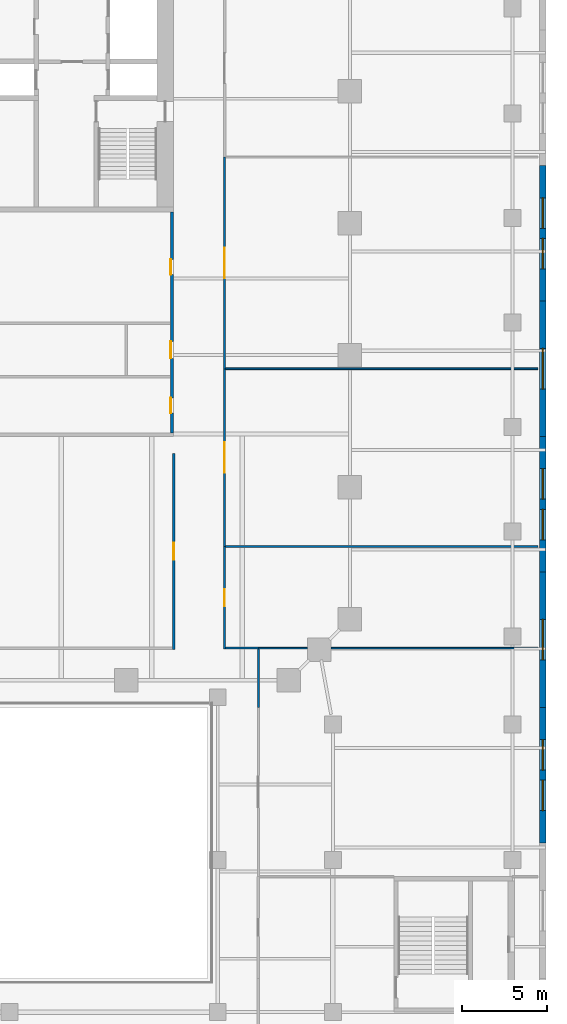
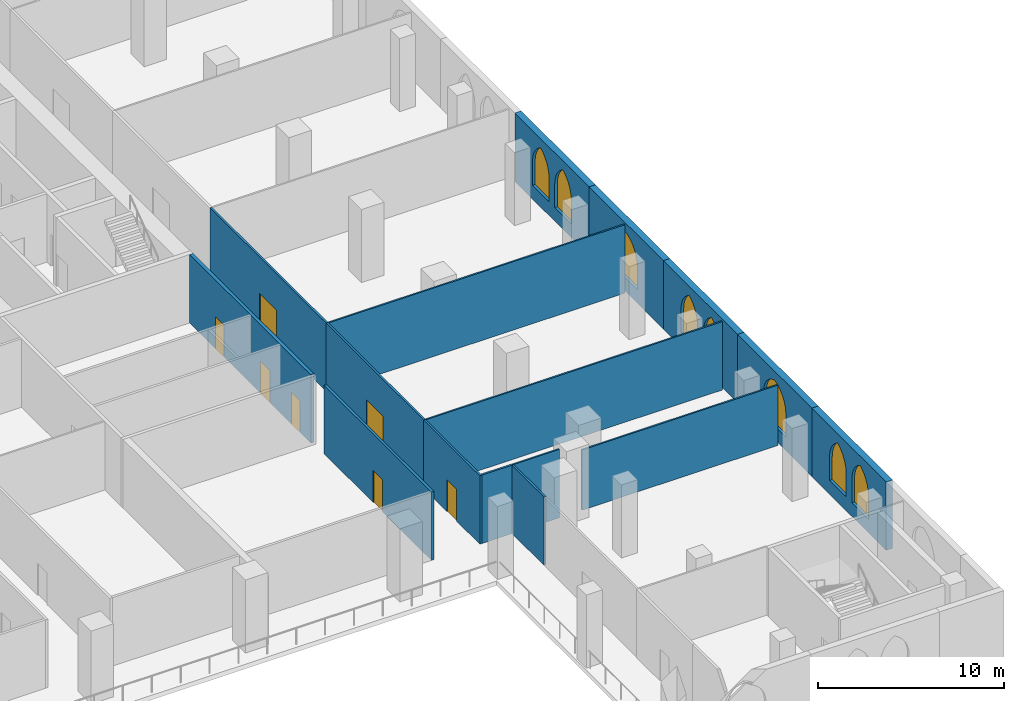
# One storey, part 13 of 19: 16 walls, 8 windows, 7 doors, 15 openings.
"""IFC4 building model written with IfcOpenShell, lengths in metres."""

from ifc_helpers import new_model, si_unit, direction, frame, frame_2d, origin, place, context, subcontext, project, spatial, polyline, rectangle, outline, extrude, material, layer, layer_set, type_object, element, fill, save


model = new_model("IFC4")

# Units and contexts
model_context = context("Model", 3, precision=1e-05, world=origin(), true_north=direction((0.0, 1.0)))
body_context = subcontext(model_context, "Body", "Model", "MODEL_VIEW")
ifc_project = project(units=[si_unit("LENGTHUNIT", "METRE"), si_unit("AREAUNIT", "SQUARE_METRE"), si_unit("VOLUMEUNIT", "CUBIC_METRE"), si_unit("PLANEANGLEUNIT", "RADIAN"), si_unit("MASSUNIT", "GRAM", prefix="KILO")], contexts=[model_context])

# Site, building, storey
site_placement = place(None, origin())
site = spatial("IfcSite", under=ifc_project, at=site_placement, CompositionType="ELEMENT")
building_placement = place(site_placement, origin())
building = spatial("IfcBuilding", under=site, at=building_placement, Name="Ogive Exchange Tower", CompositionType="ELEMENT")
storey_placement = place(building_placement, frame((0.0, 0.0, 24.0)))
storey = spatial("IfcBuildingStorey", under=building, at=storey_placement, Name="L04", CompositionType="ELEMENT", Elevation=24.0)

# Wall, opening, door
ifc_material_1 = material(Name="Fire partition EI 60 150")
ifc_layer_1 = layer(ifc_material_1, 0.14990234375)
ifc_layer_set_1 = layer_set([ifc_layer_1], Name="Fire partition EI 60 150")
wall_type_1 = type_object("IfcWallType", Name="Fire partition EI 60 150", PredefinedType="PARTITIONING", material=ifc_layer_set_1)
wall_1_placement = place(storey_placement, frame((22.0, -28.574951171875, 0.0), z_axis=(0.0, 0.0, 1.0), x_axis=(0.0, 1.0, 0.0)))
wall_1 = element("IfcWall", 1, at=wall_1_placement, inside=storey, type_object=wall_type_1, Name="L04-PWL-058", PredefinedType="PARTITIONING", context=body_context, shape_type="SweptSolid", body=[
    extrude(rectangle(XDim=11.574951171875, YDim=0.14990234375, at=frame_2d((5.78759765625, 0.0))), origin(), (0.0, 0.0, 1.0), 4.5),
])
opening_1_placement = place(wall_1_placement, frame((5.28759765625, 0.0, 0.0)))
opening_1 = element("IfcOpeningElement", 2, at=opening_1_placement, cuts=wall_1, Name="Opening L04-I19", PredefinedType="OPENING", context=body_context, shape_type="SweptSolid", body=[
    extrude(rectangle(XDim=1.0, YDim=2.10009765625, at=frame_2d((0.5, 1.050048828125))), frame((0.0, 0.0849609375, 0.0), z_axis=(0.0, -1.0, 0.0), x_axis=(1.0, 0.0, 0.0)), (0.0, 0.0, 1.0), 0.169921875),
])
ifc_material_2 = material(Name="Fire door FD 30S 1000 x 2100")
door_type_1 = type_object("IfcDoorType", Name="Fire door FD 30S 1000 x 2100", OperationType="NOTDEFINED", PredefinedType="DOOR", material=ifc_material_2)
door_1_placement = place(opening_1_placement, origin())
door_1 = element("IfcDoor", 3, at=door_1_placement, inside=storey, type_object=door_type_1, Name="L04-IDR-019", ObjectType="DT3", OperationType="SINGLE_SWING_RIGHT", OverallHeight=2.10009765625, OverallWidth=1.0, PredefinedType="DOOR", context=body_context, shape_type="SweptSolid", body=[
    extrude(rectangle(XDim=1.0, YDim=2.10009765625, at=frame_2d((0.5, 1.050048828125))), frame((0.0, 0.02490234375, 0.0), z_axis=(0.0, -1.0, 0.0), x_axis=(1.0, 0.0, 0.0)), (0.0, 0.0, 1.0), 0.050048828125),
])
fill(opening_1, door_1)

# Wall
ifc_material_3 = material(Name="Glazed fire partition EI 60 120")
ifc_layer_2 = layer(ifc_material_3, 0.1201171875)
ifc_layer_set_2 = layer_set([ifc_layer_2], Name="Glazed fire partition EI 60 120")
wall_type_2 = type_object("IfcWallType", Name="Glazed fire partition EI 60 120", PredefinedType="PARTITIONING", material=ifc_layer_set_2)
wall_2_placement = place(storey_placement, frame((25.06005859375, -28.5, 0.0), z_axis=(0.0, 0.0, 1.0), x_axis=(1.0, 0.0, 0.0)))
element("IfcWall", 4, at=wall_2_placement, inside=storey, type_object=wall_type_2, Name="L04-PWL-012", PredefinedType="PARTITIONING", context=body_context, shape_type="SweptSolid", body=[
    extrude(rectangle(XDim=1.93994140625, YDim=0.1201171875, at=frame_2d((0.969970703125, 0.0))), origin(), (0.0, 0.0, 1.0), 4.5),
])

# Wall, opening, door
wall_3_placement = place(storey_placement, frame((25.0, -28.56005859375, 0.0), z_axis=(0.0, 0.0, 1.0), x_axis=(0.0, 1.0, 0.0)))
wall_3 = element("IfcWall", 5, at=wall_3_placement, inside=storey, type_object=wall_type_2, Name="L04-PWL-059", PredefinedType="PARTITIONING", context=body_context, shape_type="SweptSolid", body=[
    extrude(rectangle(XDim=6.06005859375, YDim=0.1201171875, at=frame_2d((3.030029296875, 0.0))), origin(), (0.0, 0.0, 1.0), 4.5),
])
opening_2_placement = place(wall_3_placement, frame((2.530029296875, 0.0, 0.0)))
opening_2 = element("IfcOpeningElement", 6, at=opening_2_placement, cuts=wall_3, Name="Opening L04-I08", PredefinedType="OPENING", context=body_context, shape_type="SweptSolid", body=[
    extrude(rectangle(XDim=1.0, YDim=2.10009765625, at=frame_2d((0.5, 1.050048828125))), frame((0.0, 0.070068359375, 0.0), z_axis=(0.0, -1.0, 0.0), x_axis=(1.0, 0.0, 0.0)), (0.0, 0.0, 1.0), 0.14013671875),
])
door_2_placement = place(opening_2_placement, frame((1.0, 0.0, 0.0), z_axis=(0.0, 0.0, 1.0), x_axis=(-1.0, 0.0, 0.0)))
door_2 = element("IfcDoor", 7, at=door_2_placement, inside=storey, type_object=door_type_1, Name="L04-IDR-008", ObjectType="DT3", OperationType="SINGLE_SWING_RIGHT", OverallHeight=2.10009765625, OverallWidth=1.0, PredefinedType="DOOR", context=body_context, shape_type="SweptSolid", body=[
    extrude(rectangle(XDim=1.0, YDim=2.10009765625, at=frame_2d((0.5, 1.050048828125))), frame((0.0, 0.02490234375, 0.0), z_axis=(0.0, -1.0, 0.0), x_axis=(1.0, 0.0, 0.0)), (0.0, 0.0, 1.0), 0.050048828125),
])
fill(opening_2, door_2)

wall_4_placement = place(storey_placement, frame((25.0, -22.5, 0.0), z_axis=(0.0, 0.0, 1.0), x_axis=(0.0, 1.0, 0.0)))
wall_4 = element("IfcWall", 8, at=wall_4_placement, inside=storey, type_object=wall_type_2, Name="L04-PWL-060", PredefinedType="PARTITIONING", context=body_context, shape_type="SweptSolid", body=[
    extrude(rectangle(XDim=10.5, YDim=0.1201171875, at=frame_2d((5.25, 0.0))), origin(), (0.0, 0.0, 1.0), 4.5),
])
opening_3_placement = place(wall_4_placement, frame((4.35009765625, 0.0, 0.0)))
opening_3 = element("IfcOpeningElement", 9, at=opening_3_placement, cuts=wall_4, Name="Opening L04-I09", PredefinedType="OPENING", context=body_context, shape_type="SweptSolid", body=[
    extrude(rectangle(XDim=1.800048828125, YDim=2.10009765625, at=frame_2d((0.89990234375, 1.050048828125))), frame((0.0, 0.070068359375, 0.0), z_axis=(0.0, -1.0, 0.0), x_axis=(1.0, 0.0, 0.0)), (0.0, 0.0, 1.0), 0.14013671875),
])
ifc_material_4 = material(Name="Fire door FD 30S 1800 x 2100")
door_type_2 = type_object("IfcDoorType", Name="Fire door FD 30S 1800 x 2100", OperationType="DOUBLE_DOOR_SINGLE_SWING", PredefinedType="DOOR", material=ifc_material_4)
door_3_placement = place(opening_3_placement, frame((1.800048828125, 0.0, 0.0), z_axis=(0.0, 0.0, 1.0), x_axis=(-1.0, 0.0, 0.0)))
door_3 = element("IfcDoor", 10, at=door_3_placement, inside=storey, type_object=door_type_2, Name="L04-IDR-009", ObjectType="DT4", OperationType="SINGLE_SWING_RIGHT", OverallHeight=2.10009765625, OverallWidth=1.800048828125, PredefinedType="DOOR", context=body_context, shape_type="SweptSolid", body=[
    extrude(rectangle(XDim=1.800048828125, YDim=2.10009765625, at=frame_2d((0.89990234375, 1.050048828125))), frame((0.0, 0.02490234375, 0.0), z_axis=(0.0, -1.0, 0.0), x_axis=(1.0, 0.0, 0.0)), (0.0, 0.0, 1.0), 0.050048828125),
])
fill(opening_3, door_3)

wall_5_placement = place(storey_placement, frame((25.0, -12.0, 0.0), z_axis=(0.0, 0.0, 1.0), x_axis=(0.0, 1.0, 0.0)))
wall_5 = element("IfcWall", 11, at=wall_5_placement, inside=storey, type_object=wall_type_2, Name="L04-PWL-061", PredefinedType="PARTITIONING", context=body_context, shape_type="SweptSolid", body=[
    extrude(rectangle(XDim=12.5, YDim=0.1201171875, at=frame_2d((6.25, 0.0))), origin(), (0.0, 0.0, 1.0), 4.5),
])
opening_4_placement = place(wall_5_placement, frame((5.35009765625, 0.0, 0.0)))
opening_4 = element("IfcOpeningElement", 12, at=opening_4_placement, cuts=wall_5, Name="Opening L04-I10", PredefinedType="OPENING", context=body_context, shape_type="SweptSolid", body=[
    extrude(rectangle(XDim=1.800048828125, YDim=2.10009765625, at=frame_2d((0.89990234375, 1.050048828125))), frame((0.0, 0.070068359375, 0.0), z_axis=(0.0, -1.0, 0.0), x_axis=(1.0, 0.0, 0.0)), (0.0, 0.0, 1.0), 0.14013671875),
])
door_4_placement = place(opening_4_placement, frame((1.800048828125, 0.0, 0.0), z_axis=(0.0, 0.0, 1.0), x_axis=(-1.0, 0.0, 0.0)))
door_4 = element("IfcDoor", 13, at=door_4_placement, inside=storey, type_object=door_type_2, Name="L04-IDR-010", ObjectType="DT4", OperationType="SINGLE_SWING_LEFT", OverallHeight=2.10009765625, OverallWidth=1.800048828125, PredefinedType="DOOR", context=body_context, shape_type="SweptSolid", body=[
    extrude(rectangle(XDim=1.800048828125, YDim=2.10009765625, at=frame_2d((0.89990234375, 1.050048828125))), frame((0.0, 0.02490234375, 0.0), z_axis=(0.0, -1.0, 0.0), x_axis=(1.0, 0.0, 0.0)), (0.0, 0.0, 1.0), 0.050048828125),
])
fill(opening_4, door_4)

# Wall
wall_6_placement = place(storey_placement, frame((27.0, -32.0, 0.0), z_axis=(0.0, 0.0, 1.0), x_axis=(0.0, 1.0, 0.0)))
element("IfcWall", 14, at=wall_6_placement, inside=storey, type_object=wall_type_2, Name="L04-PWL-069", PredefinedType="PARTITIONING", context=body_context, shape_type="SweptSolid", body=[
    extrude(rectangle(XDim=3.43994140625, YDim=0.1201171875, at=frame_2d((1.719970703125, 0.0))), origin(), (0.0, 0.0, 1.0), 4.5),
])

# Wall, openings, windows
ifc_material_5 = material(Name="Precast concrete C40/50", Category="concrete")
ifc_layer_3 = layer(ifc_material_5, 0.39990234375)
ifc_layer_set_3 = layer_set([ifc_layer_3], Name="Limestone-faced wall 400")
wall_type_3 = type_object("IfcWallType", Name="Limestone-faced wall 400", PredefinedType="STANDARD", material=ifc_layer_set_3)
wall_7_placement = place(storey_placement, frame((43.800048828125, -40.0, 0.0), z_axis=(0.0, 0.0, 1.0), x_axis=(0.0, 1.0, 0.0)))
wall_7 = element("IfcWall", 15, at=wall_7_placement, inside=storey, type_object=wall_type_3, Name="Podium wall E3", PredefinedType="STANDARD", context=body_context, shape_type="SweptSolid", body=[
    extrude(rectangle(XDim=8.0, YDim=0.39990234375, at=frame_2d((4.0, 0.0))), origin(), (0.0, 0.0, 1.0), 4.5),
])
opening_5_placement = place(wall_7_placement, frame((1.89990234375, 0.0, 0.89990234375)))
opening_5 = element("IfcOpeningElement", 16, at=opening_5_placement, cuts=wall_7, Name="Opening WQ300", PredefinedType="OPENING", context=body_context, shape_type="SweptSolid", body=[
    extrude(outline(polyline([(0.0, 0.0), (1.800048828125, 0.0), (1.800048828125, 1.5), (1.78466796875, 1.72900390625), (1.73828125, 1.953857421875), (1.662353515625, 2.17041015625), (1.557861328125, 2.374755859375), (1.4267578125, 2.56298828125), (1.271484375, 2.73193359375), (1.0947265625, 2.878662109375), (0.89990234375, 3.0), (0.705322265625, 2.878662109375), (0.528564453125, 2.73193359375), (0.373291015625, 2.56298828125), (0.2421875, 2.374755859375), (0.1376953125, 2.17041015625), (0.061767578125, 1.953857421875), (0.015380859375, 1.72900390625), (0.0, 1.5), (0.0, 0.0)])), frame((0.0, 0.2099609375, 0.0), z_axis=(0.0, -1.0, 0.0), x_axis=(1.0, 0.0, 0.0)), (0.0, 0.0, 1.0), 0.419921875),
])
opening_6_placement = place(wall_7_placement, frame((4.300048828125, 0.0, 0.89990234375)))
opening_6 = element("IfcOpeningElement", 17, at=opening_6_placement, cuts=wall_7, Name="Opening WQ300", PredefinedType="OPENING", context=body_context, shape_type="SweptSolid", body=[
    extrude(outline(polyline([(0.0, 0.0), (1.800048828125, 0.0), (1.800048828125, 1.5), (1.78466796875, 1.72900390625), (1.73828125, 1.953857421875), (1.662353515625, 2.17041015625), (1.557861328125, 2.374755859375), (1.4267578125, 2.56298828125), (1.271484375, 2.73193359375), (1.0947265625, 2.878662109375), (0.89990234375, 3.0), (0.705322265625, 2.878662109375), (0.528564453125, 2.73193359375), (0.373291015625, 2.56298828125), (0.2421875, 2.374755859375), (0.1376953125, 2.17041015625), (0.061767578125, 1.953857421875), (0.015380859375, 1.72900390625), (0.0, 1.5), (0.0, 0.0)])), frame((0.0, 0.2099609375, 0.0), z_axis=(0.0, -1.0, 0.0), x_axis=(1.0, 0.0, 0.0)), (0.0, 0.0, 1.0), 0.419921875),
])
ifc_material_6 = material(Name="Clear glass in bronze frame", Category="glass")
window_type_1 = type_object("IfcWindowType", Name="Podium paired lancet 1800 x 3000", PartitioningType="DOUBLE_PANEL_VERTICAL", PredefinedType="WINDOW", material=ifc_material_6)
window_1_placement = place(opening_5_placement, origin())
window_1 = element("IfcWindow", 18, at=window_1_placement, inside=storey, type_object=window_type_1, Name="Podium paired lancet E3.1", OverallHeight=3.0, OverallWidth=1.800048828125, PartitioningType="DOUBLE_PANEL_VERTICAL", PredefinedType="WINDOW", context=body_context, shape_type="SweptSolid", body=[
    extrude(outline(polyline([(0.0, 0.0), (1.800048828125, 0.0), (1.800048828125, 1.5), (1.78466796875, 1.72900390625), (1.73828125, 1.953857421875), (1.662353515625, 2.17041015625), (1.557861328125, 2.374755859375), (1.4267578125, 2.56298828125), (1.271484375, 2.73193359375), (1.0947265625, 2.878662109375), (0.89990234375, 3.0), (0.705322265625, 2.878662109375), (0.528564453125, 2.73193359375), (0.373291015625, 2.56298828125), (0.2421875, 2.374755859375), (0.1376953125, 2.17041015625), (0.061767578125, 1.953857421875), (0.015380859375, 1.72900390625), (0.0, 1.5), (0.0, 0.0)])), frame((0.0, 0.030029296875, 0.0), z_axis=(0.0, -1.0, 0.0), x_axis=(1.0, 0.0, 0.0)), (0.0, 0.0, 1.0), 0.06005859375),
])
fill(opening_5, window_1)
window_2_placement = place(opening_6_placement, origin())
window_2 = element("IfcWindow", 19, at=window_2_placement, inside=storey, type_object=window_type_1, Name="Podium paired lancet E3.2", OverallHeight=3.0, OverallWidth=1.800048828125, PartitioningType="DOUBLE_PANEL_VERTICAL", PredefinedType="WINDOW", context=body_context, shape_type="SweptSolid", body=[
    extrude(outline(polyline([(0.0, 0.0), (1.800048828125, 0.0), (1.800048828125, 1.5), (1.78466796875, 1.72900390625), (1.73828125, 1.953857421875), (1.662353515625, 2.17041015625), (1.557861328125, 2.374755859375), (1.4267578125, 2.56298828125), (1.271484375, 2.73193359375), (1.0947265625, 2.878662109375), (0.89990234375, 3.0), (0.705322265625, 2.878662109375), (0.528564453125, 2.73193359375), (0.373291015625, 2.56298828125), (0.2421875, 2.374755859375), (0.1376953125, 2.17041015625), (0.061767578125, 1.953857421875), (0.015380859375, 1.72900390625), (0.0, 1.5), (0.0, 0.0)])), frame((0.0, 0.030029296875, 0.0), z_axis=(0.0, -1.0, 0.0), x_axis=(1.0, 0.0, 0.0)), (0.0, 0.0, 1.0), 0.06005859375),
])
fill(opening_6, window_2)

# Wall, opening, window
wall_8_placement = place(storey_placement, frame((43.800048828125, -32.0, 0.0), z_axis=(0.0, 0.0, 1.0), x_axis=(0.0, 1.0, 0.0)))
wall_8 = element("IfcWall", 20, at=wall_8_placement, inside=storey, type_object=wall_type_3, Name="Podium wall E4", PredefinedType="STANDARD", context=body_context, shape_type="SweptSolid", body=[
    extrude(rectangle(XDim=8.0, YDim=0.39990234375, at=frame_2d((4.0, 0.0))), origin(), (0.0, 0.0, 1.0), 4.5),
])
opening_7_placement = place(wall_8_placement, frame((2.800048828125, 0.0, 0.89990234375)))
opening_7 = element("IfcOpeningElement", 21, at=opening_7_placement, cuts=wall_8, Name="Opening WP300", PredefinedType="OPENING", context=body_context, shape_type="SweptSolid", body=[
    extrude(outline(polyline([(0.0, 0.0), (2.39990234375, 0.0), (2.39990234375, 1.5), (2.378173828125, 1.758056640625), (2.313232421875, 2.009033203125), (2.207275390625, 2.245361328125), (2.06298828125, 2.46044921875), (1.884765625, 2.6484375), (1.677490234375, 2.8037109375), (1.447021484375, 2.922119140625), (1.199951171875, 3.0), (0.952880859375, 2.922119140625), (0.722412109375, 2.8037109375), (0.51513671875, 2.6484375), (0.3369140625, 2.46044921875), (0.192626953125, 2.245361328125), (0.086669921875, 2.009033203125), (0.021728515625, 1.758056640625), (0.0, 1.5), (0.0, 0.0)])), frame((0.0, 0.2099609375, 0.0), z_axis=(0.0, -1.0, 0.0), x_axis=(1.0, 0.0, 0.0)), (0.0, 0.0, 1.0), 0.419921875),
])
window_type_2 = type_object("IfcWindowType", Name="Podium lancet window 2400 x 3000", PartitioningType="DOUBLE_PANEL_VERTICAL", PredefinedType="WINDOW", material=ifc_material_6)
window_3_placement = place(opening_7_placement, origin())
window_3 = element("IfcWindow", 22, at=window_3_placement, inside=storey, type_object=window_type_2, Name="Podium window E4", OverallHeight=3.0, OverallWidth=2.39990234375, PartitioningType="DOUBLE_PANEL_VERTICAL", PredefinedType="WINDOW", context=body_context, shape_type="SweptSolid", body=[
    extrude(outline(polyline([(0.0, 0.0), (2.39990234375, 0.0), (2.39990234375, 1.5), (2.378173828125, 1.758056640625), (2.313232421875, 2.009033203125), (2.207275390625, 2.245361328125), (2.06298828125, 2.46044921875), (1.884765625, 2.6484375), (1.677490234375, 2.8037109375), (1.447021484375, 2.922119140625), (1.199951171875, 3.0), (0.952880859375, 2.922119140625), (0.722412109375, 2.8037109375), (0.51513671875, 2.6484375), (0.3369140625, 2.46044921875), (0.192626953125, 2.245361328125), (0.086669921875, 2.009033203125), (0.021728515625, 1.758056640625), (0.0, 1.5), (0.0, 0.0)])), frame((0.0, 0.030029296875, 0.0), z_axis=(0.0, -1.0, 0.0), x_axis=(1.0, 0.0, 0.0)), (0.0, 0.0, 1.0), 0.06005859375),
])
fill(opening_7, window_3)

# Wall, openings, windows
wall_9_placement = place(storey_placement, frame((43.800048828125, -24.0, 0.0), z_axis=(0.0, 0.0, 1.0), x_axis=(0.0, 1.0, 0.0)))
wall_9 = element("IfcWall", 23, at=wall_9_placement, inside=storey, type_object=wall_type_3, Name="Podium wall E5", PredefinedType="STANDARD", context=body_context, shape_type="SweptSolid", body=[
    extrude(rectangle(XDim=8.0, YDim=0.39990234375, at=frame_2d((4.0, 0.0))), origin(), (0.0, 0.0, 1.0), 4.5),
])
opening_8_placement = place(wall_9_placement, frame((1.89990234375, 0.0, 0.89990234375)))
opening_8 = element("IfcOpeningElement", 24, at=opening_8_placement, cuts=wall_9, Name="Opening WQ300", PredefinedType="OPENING", context=body_context, shape_type="SweptSolid", body=[
    extrude(outline(polyline([(0.0, 0.0), (1.800048828125, 0.0), (1.800048828125, 1.5), (1.78466796875, 1.72900390625), (1.73828125, 1.953857421875), (1.662353515625, 2.17041015625), (1.557861328125, 2.374755859375), (1.4267578125, 2.56298828125), (1.271484375, 2.73193359375), (1.0947265625, 2.878662109375), (0.89990234375, 3.0), (0.705322265625, 2.878662109375), (0.528564453125, 2.73193359375), (0.373291015625, 2.56298828125), (0.2421875, 2.374755859375), (0.1376953125, 2.17041015625), (0.061767578125, 1.953857421875), (0.015380859375, 1.72900390625), (0.0, 1.5), (0.0, 0.0)])), frame((0.0, 0.2099609375, 0.0), z_axis=(0.0, -1.0, 0.0), x_axis=(1.0, 0.0, 0.0)), (0.0, 0.0, 1.0), 0.419921875),
])
opening_9_placement = place(wall_9_placement, frame((4.300048828125, 0.0, 0.89990234375)))
opening_9 = element("IfcOpeningElement", 25, at=opening_9_placement, cuts=wall_9, Name="Opening WQ300", PredefinedType="OPENING", context=body_context, shape_type="SweptSolid", body=[
    extrude(outline(polyline([(0.0, 0.0), (1.800048828125, 0.0), (1.800048828125, 1.5), (1.78466796875, 1.72900390625), (1.73828125, 1.953857421875), (1.662353515625, 2.17041015625), (1.557861328125, 2.374755859375), (1.4267578125, 2.56298828125), (1.271484375, 2.73193359375), (1.0947265625, 2.878662109375), (0.89990234375, 3.0), (0.705322265625, 2.878662109375), (0.528564453125, 2.73193359375), (0.373291015625, 2.56298828125), (0.2421875, 2.374755859375), (0.1376953125, 2.17041015625), (0.061767578125, 1.953857421875), (0.015380859375, 1.72900390625), (0.0, 1.5), (0.0, 0.0)])), frame((0.0, 0.2099609375, 0.0), z_axis=(0.0, -1.0, 0.0), x_axis=(1.0, 0.0, 0.0)), (0.0, 0.0, 1.0), 0.419921875),
])
window_4_placement = place(opening_8_placement, origin())
window_4 = element("IfcWindow", 26, at=window_4_placement, inside=storey, type_object=window_type_1, Name="Podium paired lancet E5.1", OverallHeight=3.0, OverallWidth=1.800048828125, PartitioningType="DOUBLE_PANEL_VERTICAL", PredefinedType="WINDOW", context=body_context, shape_type="SweptSolid", body=[
    extrude(outline(polyline([(0.0, 0.0), (1.800048828125, 0.0), (1.800048828125, 1.5), (1.78466796875, 1.72900390625), (1.73828125, 1.953857421875), (1.662353515625, 2.17041015625), (1.557861328125, 2.374755859375), (1.4267578125, 2.56298828125), (1.271484375, 2.73193359375), (1.0947265625, 2.878662109375), (0.89990234375, 3.0), (0.705322265625, 2.878662109375), (0.528564453125, 2.73193359375), (0.373291015625, 2.56298828125), (0.2421875, 2.374755859375), (0.1376953125, 2.17041015625), (0.061767578125, 1.953857421875), (0.015380859375, 1.72900390625), (0.0, 1.5), (0.0, 0.0)])), frame((0.0, 0.030029296875, 0.0), z_axis=(0.0, -1.0, 0.0), x_axis=(1.0, 0.0, 0.0)), (0.0, 0.0, 1.0), 0.06005859375),
])
fill(opening_8, window_4)
window_5_placement = place(opening_9_placement, origin())
window_5 = element("IfcWindow", 27, at=window_5_placement, inside=storey, type_object=window_type_1, Name="Podium paired lancet E5.2", OverallHeight=3.0, OverallWidth=1.800048828125, PartitioningType="DOUBLE_PANEL_VERTICAL", PredefinedType="WINDOW", context=body_context, shape_type="SweptSolid", body=[
    extrude(outline(polyline([(0.0, 0.0), (1.800048828125, 0.0), (1.800048828125, 1.5), (1.78466796875, 1.72900390625), (1.73828125, 1.953857421875), (1.662353515625, 2.17041015625), (1.557861328125, 2.374755859375), (1.4267578125, 2.56298828125), (1.271484375, 2.73193359375), (1.0947265625, 2.878662109375), (0.89990234375, 3.0), (0.705322265625, 2.878662109375), (0.528564453125, 2.73193359375), (0.373291015625, 2.56298828125), (0.2421875, 2.374755859375), (0.1376953125, 2.17041015625), (0.061767578125, 1.953857421875), (0.015380859375, 1.72900390625), (0.0, 1.5), (0.0, 0.0)])), frame((0.0, 0.030029296875, 0.0), z_axis=(0.0, -1.0, 0.0), x_axis=(1.0, 0.0, 0.0)), (0.0, 0.0, 1.0), 0.06005859375),
])
fill(opening_9, window_5)

# Wall, opening, window
wall_10_placement = place(storey_placement, frame((43.800048828125, -16.0, 0.0), z_axis=(0.0, 0.0, 1.0), x_axis=(0.0, 1.0, 0.0)))
wall_10 = element("IfcWall", 28, at=wall_10_placement, inside=storey, type_object=wall_type_3, Name="Podium wall E6", PredefinedType="STANDARD", context=body_context, shape_type="SweptSolid", body=[
    extrude(rectangle(XDim=8.0, YDim=0.39990234375, at=frame_2d((4.0, 0.0))), origin(), (0.0, 0.0, 1.0), 4.5),
])
opening_10_placement = place(wall_10_placement, frame((2.800048828125, 0.0, 0.89990234375)))
opening_10 = element("IfcOpeningElement", 29, at=opening_10_placement, cuts=wall_10, Name="Opening WP300", PredefinedType="OPENING", context=body_context, shape_type="SweptSolid", body=[
    extrude(outline(polyline([(0.0, 0.0), (2.39990234375, 0.0), (2.39990234375, 1.5), (2.378173828125, 1.758056640625), (2.313232421875, 2.009033203125), (2.207275390625, 2.245361328125), (2.06298828125, 2.46044921875), (1.884765625, 2.6484375), (1.677490234375, 2.8037109375), (1.447021484375, 2.922119140625), (1.199951171875, 3.0), (0.952880859375, 2.922119140625), (0.722412109375, 2.8037109375), (0.51513671875, 2.6484375), (0.3369140625, 2.46044921875), (0.192626953125, 2.245361328125), (0.086669921875, 2.009033203125), (0.021728515625, 1.758056640625), (0.0, 1.5), (0.0, 0.0)])), frame((0.0, 0.2099609375, 0.0), z_axis=(0.0, -1.0, 0.0), x_axis=(1.0, 0.0, 0.0)), (0.0, 0.0, 1.0), 0.419921875),
])
window_6_placement = place(opening_10_placement, origin())
window_6 = element("IfcWindow", 30, at=window_6_placement, inside=storey, type_object=window_type_2, Name="Podium window E6", OverallHeight=3.0, OverallWidth=2.39990234375, PartitioningType="DOUBLE_PANEL_VERTICAL", PredefinedType="WINDOW", context=body_context, shape_type="SweptSolid", body=[
    extrude(outline(polyline([(0.0, 0.0), (2.39990234375, 0.0), (2.39990234375, 1.5), (2.378173828125, 1.758056640625), (2.313232421875, 2.009033203125), (2.207275390625, 2.245361328125), (2.06298828125, 2.46044921875), (1.884765625, 2.6484375), (1.677490234375, 2.8037109375), (1.447021484375, 2.922119140625), (1.199951171875, 3.0), (0.952880859375, 2.922119140625), (0.722412109375, 2.8037109375), (0.51513671875, 2.6484375), (0.3369140625, 2.46044921875), (0.192626953125, 2.245361328125), (0.086669921875, 2.009033203125), (0.021728515625, 1.758056640625), (0.0, 1.5), (0.0, 0.0)])), frame((0.0, 0.030029296875, 0.0), z_axis=(0.0, -1.0, 0.0), x_axis=(1.0, 0.0, 0.0)), (0.0, 0.0, 1.0), 0.06005859375),
])
fill(opening_10, window_6)

# Wall, openings, windows
wall_11_placement = place(storey_placement, frame((43.800048828125, -8.0, 0.0), z_axis=(0.0, 0.0, 1.0), x_axis=(0.0, 1.0, 0.0)))
wall_11 = element("IfcWall", 31, at=wall_11_placement, inside=storey, type_object=wall_type_3, Name="Podium wall E7", PredefinedType="STANDARD", context=body_context, shape_type="SweptSolid", body=[
    extrude(rectangle(XDim=8.0, YDim=0.39990234375, at=frame_2d((4.0, 0.0))), origin(), (0.0, 0.0, 1.0), 4.5),
])
opening_11_placement = place(wall_11_placement, frame((1.89990234375, 0.0, 0.89990234375)))
opening_11 = element("IfcOpeningElement", 32, at=opening_11_placement, cuts=wall_11, Name="Opening WQ300", PredefinedType="OPENING", context=body_context, shape_type="SweptSolid", body=[
    extrude(outline(polyline([(0.0, 0.0), (1.800048828125, 0.0), (1.800048828125, 1.5), (1.78466796875, 1.72900390625), (1.73828125, 1.953857421875), (1.662353515625, 2.17041015625), (1.557861328125, 2.374755859375), (1.4267578125, 2.56298828125), (1.271484375, 2.73193359375), (1.0947265625, 2.878662109375), (0.89990234375, 3.0), (0.705322265625, 2.878662109375), (0.528564453125, 2.73193359375), (0.373291015625, 2.56298828125), (0.2421875, 2.374755859375), (0.1376953125, 2.17041015625), (0.061767578125, 1.953857421875), (0.015380859375, 1.72900390625), (0.0, 1.5), (0.0, 0.0)])), frame((0.0, 0.2099609375, 0.0), z_axis=(0.0, -1.0, 0.0), x_axis=(1.0, 0.0, 0.0)), (0.0, 0.0, 1.0), 0.419921875),
])
opening_12_placement = place(wall_11_placement, frame((4.300048828125, 0.0, 0.89990234375)))
opening_12 = element("IfcOpeningElement", 33, at=opening_12_placement, cuts=wall_11, Name="Opening WQ300", PredefinedType="OPENING", context=body_context, shape_type="SweptSolid", body=[
    extrude(outline(polyline([(0.0, 0.0), (1.800048828125, 0.0), (1.800048828125, 1.5), (1.78466796875, 1.72900390625), (1.73828125, 1.953857421875), (1.662353515625, 2.17041015625), (1.557861328125, 2.374755859375), (1.4267578125, 2.56298828125), (1.271484375, 2.73193359375), (1.0947265625, 2.878662109375), (0.89990234375, 3.0), (0.705322265625, 2.878662109375), (0.528564453125, 2.73193359375), (0.373291015625, 2.56298828125), (0.2421875, 2.374755859375), (0.1376953125, 2.17041015625), (0.061767578125, 1.953857421875), (0.015380859375, 1.72900390625), (0.0, 1.5), (0.0, 0.0)])), frame((0.0, 0.2099609375, 0.0), z_axis=(0.0, -1.0, 0.0), x_axis=(1.0, 0.0, 0.0)), (0.0, 0.0, 1.0), 0.419921875),
])
window_7_placement = place(opening_11_placement, origin())
window_7 = element("IfcWindow", 34, at=window_7_placement, inside=storey, type_object=window_type_1, Name="Podium paired lancet E7.1", OverallHeight=3.0, OverallWidth=1.800048828125, PartitioningType="DOUBLE_PANEL_VERTICAL", PredefinedType="WINDOW", context=body_context, shape_type="SweptSolid", body=[
    extrude(outline(polyline([(0.0, 0.0), (1.800048828125, 0.0), (1.800048828125, 1.5), (1.78466796875, 1.72900390625), (1.73828125, 1.953857421875), (1.662353515625, 2.17041015625), (1.557861328125, 2.374755859375), (1.4267578125, 2.56298828125), (1.271484375, 2.73193359375), (1.0947265625, 2.878662109375), (0.89990234375, 3.0), (0.705322265625, 2.878662109375), (0.528564453125, 2.73193359375), (0.373291015625, 2.56298828125), (0.2421875, 2.374755859375), (0.1376953125, 2.17041015625), (0.061767578125, 1.953857421875), (0.015380859375, 1.72900390625), (0.0, 1.5), (0.0, 0.0)])), frame((0.0, 0.030029296875, 0.0), z_axis=(0.0, -1.0, 0.0), x_axis=(1.0, 0.0, 0.0)), (0.0, 0.0, 1.0), 0.06005859375),
])
fill(opening_11, window_7)
window_8_placement = place(opening_12_placement, origin())
window_8 = element("IfcWindow", 35, at=window_8_placement, inside=storey, type_object=window_type_1, Name="Podium paired lancet E7.2", OverallHeight=3.0, OverallWidth=1.800048828125, PartitioningType="DOUBLE_PANEL_VERTICAL", PredefinedType="WINDOW", context=body_context, shape_type="SweptSolid", body=[
    extrude(outline(polyline([(0.0, 0.0), (1.800048828125, 0.0), (1.800048828125, 1.5), (1.78466796875, 1.72900390625), (1.73828125, 1.953857421875), (1.662353515625, 2.17041015625), (1.557861328125, 2.374755859375), (1.4267578125, 2.56298828125), (1.271484375, 2.73193359375), (1.0947265625, 2.878662109375), (0.89990234375, 3.0), (0.705322265625, 2.878662109375), (0.528564453125, 2.73193359375), (0.373291015625, 2.56298828125), (0.2421875, 2.374755859375), (0.1376953125, 2.17041015625), (0.061767578125, 1.953857421875), (0.015380859375, 1.72900390625), (0.0, 1.5), (0.0, 0.0)])), frame((0.0, 0.030029296875, 0.0), z_axis=(0.0, -1.0, 0.0), x_axis=(1.0, 0.0, 0.0)), (0.0, 0.0, 1.0), 0.06005859375),
])
fill(opening_12, window_8)

# Walls
ifc_material_7 = material(Name="Partition 100 gypsum")
ifc_layer_4 = layer(ifc_material_7, 0.10009765625)
ifc_layer_set_4 = layer_set([ifc_layer_4], Name="Partition 100 gypsum")
wall_type_4 = type_object("IfcWallType", Name="Partition 100 gypsum", PredefinedType="PARTITIONING", material=ifc_layer_set_4)
wall_12_placement = place(storey_placement, frame((27.0, -28.5, 0.0), z_axis=(0.0, 0.0, 1.0), x_axis=(1.0, 0.0, 0.0)))
element("IfcWall", 36, at=wall_12_placement, inside=storey, type_object=wall_type_4, Name="L04-PWL-013", PredefinedType="PARTITIONING", context=body_context, shape_type="SweptSolid", body=[
    extrude(rectangle(XDim=2.89990234375, YDim=0.10009765625, at=frame_2d((1.449951171875, 0.0))), origin(), (0.0, 0.0, 1.0), 4.5),
])
wall_13_placement = place(storey_placement, frame((31.300048828125, -28.5, 0.0), z_axis=(0.0, 0.0, 1.0), x_axis=(1.0, 0.0, 0.0)))
element("IfcWall", 37, at=wall_13_placement, inside=storey, type_object=wall_type_4, Name="L04-PWL-014", PredefinedType="PARTITIONING", context=body_context, shape_type="SweptSolid", body=[
    extrude(rectangle(XDim=12.199951171875, YDim=0.10009765625, at=frame_2d((6.10009765625, 0.0))), origin(), (0.0, 0.0, 1.0), 3.964111328125),
])
for number, where, z_axis, x_axis, name in (
    (38, (25.06005859375, -22.5, 0.0), (0.0, 0.0, 1.0), (1.0, 0.0, 0.0), "L04-PWL-015"),
    (39, (25.06005859375, -12.0, 0.0), (0.0, 0.0, 1.0), (1.0, 0.0, 0.0), "L04-PWL-021"),
):
    element("IfcWall", number, at=place(storey_placement, frame(where, z_axis=z_axis, x_axis=x_axis)), inside=storey, type_object=wall_type_4, Name=name, PredefinedType="PARTITIONING", context=body_context, shape_type="SweptSolid", body=[
        extrude(rectangle(XDim=18.43994140625, YDim=0.10009765625, at=frame_2d((9.219970703125, 0.0))), origin(), (0.0, 0.0, 1.0), 4.5),
    ])

# Wall, openings, doors
ifc_material_8 = material(Name="Concrete C70/85", Category="concrete")
ifc_layer_5 = layer(ifc_material_8, 0.199951171875)
ifc_layer_set_5 = layer_set([ifc_layer_5], Name="RC core wall 200 C70/85")
wall_type_5 = type_object("IfcWallType", Name="RC core wall 200 C70/85", PredefinedType="SHEAR", material=ifc_layer_set_5)
wall_14_placement = place(storey_placement, frame((21.89990234375, -15.800048828125, 0.0), z_axis=(0.0, 0.0, 1.0), x_axis=(0.0, 1.0, 0.0)))
wall_14 = element("IfcWall", 40, at=wall_14_placement, inside=storey, type_object=wall_type_5, Name="E annex S outer wall", PredefinedType="SHEAR", context=body_context, shape_type="SweptSolid", body=[
    extrude(rectangle(XDim=13.050048828125, YDim=0.199951171875, at=frame_2d((6.52490234375, 0.0))), origin(), (0.0, 0.0, 1.0), 4.5),
])
opening_13_placement = place(wall_14_placement, frame((1.175048828125, 0.0, 0.0)))
opening_13 = element("IfcOpeningElement", 41, at=opening_13_placement, cuts=wall_14, Name="Opening L04-C40", PredefinedType="OPENING", context=body_context, shape_type="SweptSolid", body=[
    extrude(rectangle(XDim=0.89990234375, YDim=2.10009765625, at=frame_2d((0.449951171875, 1.050048828125))), frame((0.0, 0.10986328125, 0.0), z_axis=(0.0, -1.0, 0.0), x_axis=(1.0, 0.0, 0.0)), (0.0, 0.0, 1.0), 0.219970703125),
])
opening_14_placement = place(wall_14_placement, frame((4.41259765625, 0.0, 0.0)))
opening_14 = element("IfcOpeningElement", 42, at=opening_14_placement, cuts=wall_14, Name="Opening L04-C41", PredefinedType="OPENING", context=body_context, shape_type="SweptSolid", body=[
    extrude(rectangle(XDim=1.0, YDim=2.10009765625, at=frame_2d((0.5, 1.050048828125))), frame((0.0, 0.10986328125, 0.0), z_axis=(0.0, -1.0, 0.0), x_axis=(1.0, 0.0, 0.0)), (0.0, 0.0, 1.0), 0.219970703125),
])
opening_15_placement = place(wall_14_placement, frame((9.362548828125, 0.0, 0.0)))
opening_15 = element("IfcOpeningElement", 43, at=opening_15_placement, cuts=wall_14, Name="Opening L04-C43", PredefinedType="OPENING", context=body_context, shape_type="SweptSolid", body=[
    extrude(rectangle(XDim=0.89990234375, YDim=2.10009765625, at=frame_2d((0.449951171875, 1.050048828125))), frame((0.0, 0.10986328125, 0.0), z_axis=(0.0, -1.0, 0.0), x_axis=(1.0, 0.0, 0.0)), (0.0, 0.0, 1.0), 0.219970703125),
])
ifc_material_9 = material(Name="Timber fire door", Category="wood")
door_type_3 = type_object("IfcDoorType", Name="Accessible WC door FD30S 1000 x 2100", OperationType="NOTDEFINED", PredefinedType="DOOR", material=ifc_material_9)
door_5_placement = place(opening_14_placement, origin())
door_5 = element("IfcDoor", 44, at=door_5_placement, inside=storey, type_object=door_type_3, Name="Accessible WC door", ObjectType="CD7", OperationType="SINGLE_SWING_LEFT", OverallHeight=2.10009765625, OverallWidth=1.0, PredefinedType="DOOR", context=body_context, shape_type="SweptSolid", body=[
    extrude(rectangle(XDim=1.0, YDim=2.10009765625, at=frame_2d((0.5, 1.050048828125))), frame((0.0, 0.10009765625, 0.0), z_axis=(0.0, -1.0, 0.0), x_axis=(1.0, 0.0, 0.0)), (0.0, 0.0, 1.0), 0.050048828125),
])
fill(opening_14, door_5)
door_type_4 = type_object("IfcDoorType", Name="Core room door FD30S 900 x 2100", OperationType="NOTDEFINED", PredefinedType="DOOR", material=ifc_material_9)
door_6_placement = place(opening_13_placement, origin())
door_6 = element("IfcDoor", 45, at=door_6_placement, inside=storey, type_object=door_type_4, Name="Core room door", ObjectType="CD6", OperationType="SINGLE_SWING_LEFT", OverallHeight=2.10009765625, OverallWidth=0.89990234375, PredefinedType="DOOR", context=body_context, shape_type="SweptSolid", body=[
    extrude(rectangle(XDim=0.89990234375, YDim=2.10009765625, at=frame_2d((0.449951171875, 1.050048828125))), frame((0.0, 0.10009765625, 0.0), z_axis=(0.0, -1.0, 0.0), x_axis=(1.0, 0.0, 0.0)), (0.0, 0.0, 1.0), 0.050048828125),
])
fill(opening_13, door_6)
door_7_placement = place(opening_15_placement, origin())
door_7 = element("IfcDoor", 46, at=door_7_placement, inside=storey, type_object=door_type_4, Name="Core room door", ObjectType="CD6", OperationType="SINGLE_SWING_LEFT", OverallHeight=2.10009765625, OverallWidth=0.89990234375, PredefinedType="DOOR", context=body_context, shape_type="SweptSolid", body=[
    extrude(rectangle(XDim=0.89990234375, YDim=2.10009765625, at=frame_2d((0.449951171875, 1.050048828125))), frame((0.0, 0.10009765625, 0.0), z_axis=(0.0, -1.0, 0.0), x_axis=(1.0, 0.0, 0.0)), (0.0, 0.0, 1.0), 0.050048828125),
])
fill(opening_15, door_7)

save(model, "model.ifc")
